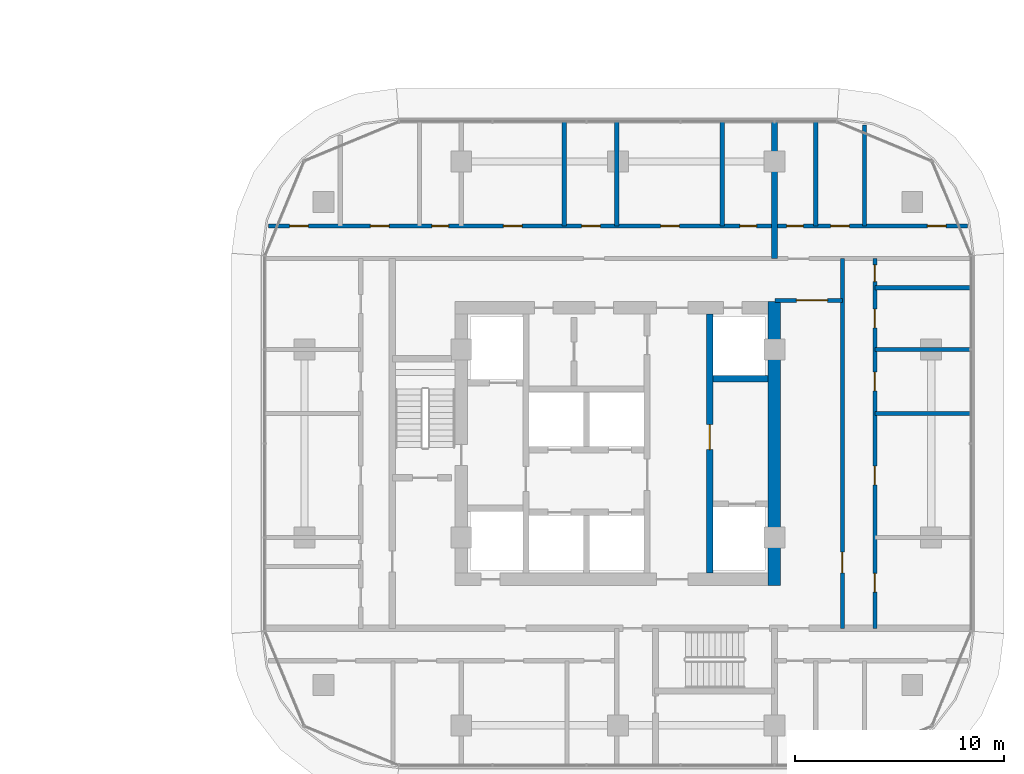
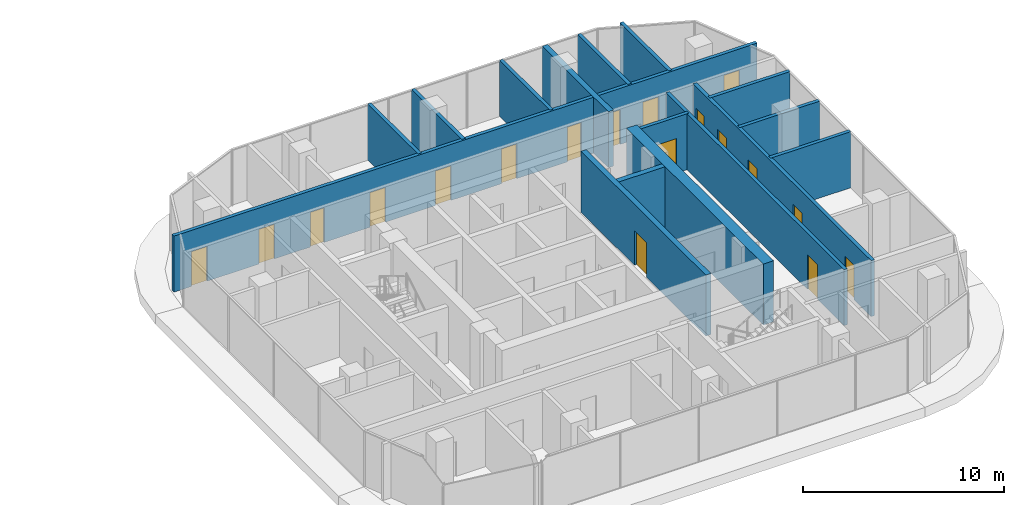
# One storey, part 24 of 36: 18 doors, 16 walls, 18 openings.
"""IFC4 building model written with IfcOpenShell, lengths in metres."""

from ifc_helpers import new_model, si_unit, direction, frame, frame_2d, origin, place, context, subcontext, project, spatial, rectangle, extrude, material, layer, layer_set, type_object, element, fill, save


model = new_model("IFC4")

# Units and contexts
model_context = context("Model", 3, precision=1e-05, world=origin(), true_north=direction((0.0, 1.0)))
body_context = subcontext(model_context, "Body", "Model", "MODEL_VIEW")
ifc_project = project(units=[si_unit("LENGTHUNIT", "METRE"), si_unit("AREAUNIT", "SQUARE_METRE"), si_unit("VOLUMEUNIT", "CUBIC_METRE"), si_unit("PLANEANGLEUNIT", "RADIAN"), si_unit("MASSUNIT", "GRAM", prefix="KILO")], contexts=[model_context])

# Site, building, storey
site_placement = place(None, origin())
site = spatial("IfcSite", under=ifc_project, at=site_placement, CompositionType="ELEMENT")
building_placement = place(site_placement, origin())
building = spatial("IfcBuilding", under=site, at=building_placement, Name="Ogive Portal Towers", CompositionType="ELEMENT")
storey_placement = place(building_placement, frame((0.0, 0.0, 52.0)))
storey = spatial("IfcBuildingStorey", under=building, at=storey_placement, Name="L11", CompositionType="ELEMENT", Elevation=52.0)

# Wall, opening, door
ifc_material_1 = material(Name="Concrete C60/75", Category="concrete")
ifc_layer_1 = layer(ifc_material_1, 0.300048828125)
ifc_layer_set_1 = layer_set([ifc_layer_1], Name="CORE WALL 300 C60")
wall_type_1 = type_object("IfcWallType", Name="CORE WALL 300 C60", PredefinedType="SHEAR", material=ifc_layer_set_1)
wall_1_placement = place(storey_placement, frame((140.89990234375, 24.800048828125, 0.0), z_axis=(0.0, 0.0, 1.0), x_axis=(0.0, 1.0, 0.0)))
wall_1 = element("IfcWall", 1, at=wall_1_placement, inside=storey, type_object=wall_type_1, Name="Tower B core wall BX3 L11", PredefinedType="SHEAR", context=body_context, shape_type="SweptSolid", body=[
    extrude(rectangle(XDim=12.39990234375, YDim=0.300048828125, at=frame_2d((6.199951171875, 0.0))), origin(), (0.0, 0.0, 1.0), 3.699951171875),
])
opening_1_placement = place(wall_1_placement, frame((5.89990234375, 0.0, 0.0)))
opening_1 = element("IfcOpeningElement", 2, at=opening_1_placement, cuts=wall_1, Name="Opening B03-042", PredefinedType="OPENING", context=body_context, shape_type="SweptSolid", body=[
    extrude(rectangle(XDim=1.199951171875, YDim=2.10009765625, at=frame_2d((0.60009765625, 1.050048828125))), frame((0.0, 0.16015625, 0.0), z_axis=(0.0, -1.0, 0.0), x_axis=(1.0, 0.0, 0.0)), (0.0, 0.0, 1.0), 0.320068359375),
])
ifc_material_2 = material(Name="Steel fire door", Category="steel")
door_type_1 = type_object("IfcDoorType", Name="DT-SWING-1200x2100-FD90S", OperationType="SINGLE_SWING_LEFT", PredefinedType="DOOR", material=ifc_material_2)
door_1_placement = place(opening_1_placement, origin())
door_1 = element("IfcDoor", 3, at=door_1_placement, inside=storey, type_object=door_type_1, Name="Door B03-042", OperationType="SINGLE_SWING_RIGHT", OverallHeight=2.10009765625, OverallWidth=1.199951171875, PredefinedType="DOOR", context=body_context, shape_type="SweptSolid", body=[
    extrude(rectangle(XDim=1.199951171875, YDim=2.10009765625, at=frame_2d((0.60009765625, 1.050048828125))), frame((0.0, 0.02490234375, 0.0), z_axis=(0.0, -1.0, 0.0), x_axis=(1.0, 0.0, 0.0)), (0.0, 0.0, 1.0), 0.050048828125),
])
fill(opening_1, door_1)

# Walls
wall_2_placement = place(storey_placement, frame((141.050048828125, 34.10009765625, 0.0), z_axis=(0.0, 0.0, 1.0), x_axis=(1.0, 0.0, 0.0)))
element("IfcWall", 4, at=wall_2_placement, inside=storey, type_object=wall_type_1, Name="Tower B core wall BY7 L11", PredefinedType="SHEAR", context=body_context, shape_type="SweptSolid", body=[
    extrude(rectangle(XDim=2.64990234375, YDim=0.300048828125, at=frame_2d((1.324951171875, 0.0))), origin(), (0.0, 0.0, 1.0), 3.699951171875),
])
ifc_layer_2 = layer(ifc_material_1, 0.60009765625)
ifc_layer_set_2 = layer_set([ifc_layer_2], Name="CORE WALL 600 C60")
wall_type_2 = type_object("IfcWallType", Name="CORE WALL 600 C60", PredefinedType="SHEAR", material=ifc_layer_set_2)
wall_3_placement = place(storey_placement, frame((144.0, 24.199951171875, 0.0), z_axis=(0.0, 0.0, 1.0), x_axis=(0.0, 1.0, 0.0)))
element("IfcWall", 5, at=wall_3_placement, inside=storey, type_object=wall_type_2, Name="Tower B core wall BE L11", PredefinedType="SHEAR", context=body_context, shape_type="SweptSolid", body=[
    extrude(rectangle(XDim=13.60009765625, YDim=0.60009765625, at=frame_2d((6.800048828125, 0.0))), origin(), (0.0, 0.0, 1.0), 3.699951171875),
])
ifc_material_3 = material(Name="Gypsum board partition on steel studs", Category="steel")
ifc_layer_3 = layer(ifc_material_3, 0.199951171875)
ifc_layer_set_3 = layer_set([ifc_layer_3], Name="WT-PART-200-EI 60")
wall_type_3 = type_object("IfcWallType", Name="WT-PART-200-EI 60", PredefinedType="PARTITIONING", material=ifc_layer_set_3)
for number, where, z_axis, x_axis, name in (
    (6, (148.81005859375, 32.43310546875, 0.0), (0.0, 0.0, 1.0), (1.0, 0.0, 0.0), "Wall L11:w012"),
    (7, (148.81005859375, 35.5, 0.0), (0.0, 0.0, 1.0), (1.0, 0.0, 0.0), "Wall L11:w015"),
):
    element("IfcWall", number, at=place(storey_placement, frame(where, z_axis=z_axis, x_axis=x_axis)), inside=storey, type_object=wall_type_3, Name=name, PredefinedType="PARTITIONING", context=body_context, shape_type="SweptSolid", body=[
        extrude(rectangle(XDim=4.60986328125, YDim=0.199951171875, at=frame_2d((2.304931640625, 0.0))), origin(), (0.0, 0.0, 1.0), 3.39990234375),
    ])

# Wall, opening, door
wall_4_placement = place(storey_placement, frame((144.02001953125, 37.85009765625, 0.0), z_axis=(0.0, 0.0, 1.0), x_axis=(1.0, 0.0, 0.0)))
wall_4 = element("IfcWall", 8, at=wall_4_placement, inside=storey, type_object=wall_type_3, Name="Wall L11:w017", PredefinedType="PARTITIONING", context=body_context, shape_type="SweptSolid", body=[
    extrude(rectangle(XDim=3.22998046875, YDim=0.199951171875, at=frame_2d((1.614990234375, 0.0))), origin(), (0.0, 0.0, 1.0), 3.39990234375),
])
opening_2_placement = place(wall_4_placement, frame((1.030029296875, 0.0, 0.0)))
opening_2 = element("IfcOpeningElement", 9, at=opening_2_placement, cuts=wall_4, Name="Opening B03-001", PredefinedType="OPENING", context=body_context, shape_type="SweptSolid", body=[
    extrude(rectangle(XDim=1.5, YDim=2.10009765625, at=frame_2d((0.75, 1.050048828125))), frame((0.0, 0.10986328125, 0.0), z_axis=(0.0, -1.0, 0.0), x_axis=(1.0, 0.0, 0.0)), (0.0, 0.0, 1.0), 0.219970703125),
])
door_type_2 = type_object("IfcDoorType", Name="DT-SWING-1500x2100-FD60S", OperationType="SINGLE_SWING_LEFT", PredefinedType="DOOR", material=ifc_material_2)
door_2_placement = place(opening_2_placement, origin())
door_2 = element("IfcDoor", 10, at=door_2_placement, inside=storey, type_object=door_type_2, Name="Door B03-001", OperationType="SINGLE_SWING_LEFT", OverallHeight=2.10009765625, OverallWidth=1.5, PredefinedType="DOOR", context=body_context, shape_type="SweptSolid", body=[
    extrude(rectangle(XDim=1.5, YDim=2.10009765625, at=frame_2d((0.75, 1.050048828125))), frame((0.0, 0.02490234375, 0.0), z_axis=(0.0, -1.0, 0.0), x_axis=(1.0, 0.0, 0.0)), (0.0, 0.0, 1.0), 0.050048828125),
])
fill(opening_2, door_2)

# Wall
wall_5_placement = place(storey_placement, frame((148.81005859375, 38.4560546875, 0.0), z_axis=(0.0, 0.0, 1.0), x_axis=(1.0, 0.0, 0.0)))
element("IfcWall", 11, at=wall_5_placement, inside=storey, type_object=wall_type_3, Name="Wall L11:w018", PredefinedType="PARTITIONING", context=body_context, shape_type="SweptSolid", body=[
    extrude(rectangle(XDim=4.60986328125, YDim=0.199951171875, at=frame_2d((2.304931640625, 0.0))), origin(), (0.0, 0.0, 1.0), 3.39990234375),
])

# Wall, openings, doors
wall_6_placement = place(storey_placement, frame((119.76611328125, 41.409912109375, 0.0), z_axis=(0.0, 0.0, 1.0), x_axis=(1.0, 0.0, 0.0)))
wall_6 = element("IfcWall", 12, at=wall_6_placement, inside=storey, type_object=wall_type_3, Name="Wall L11:w020", PredefinedType="PARTITIONING", context=body_context, shape_type="SweptSolid", body=[
    extrude(rectangle(XDim=33.4677734375, YDim=0.199951171875, at=frame_2d((16.73388671875, 0.0))), origin(), (0.0, 0.0, 1.0), 3.39990234375),
])
opening_3_placement = place(wall_6_placement, frame((1.01708984375, 0.0, 0.0)))
opening_3 = element("IfcOpeningElement", 13, at=opening_3_placement, cuts=wall_6, Name="Opening B03-006", PredefinedType="OPENING", context=body_context, shape_type="SweptSolid", body=[
    extrude(rectangle(XDim=0.89990234375, YDim=2.10009765625, at=frame_2d((0.449951171875, 1.050048828125))), frame((0.0, 0.10986328125, 0.0), z_axis=(0.0, -1.0, 0.0), x_axis=(1.0, 0.0, 0.0)), (0.0, 0.0, 1.0), 0.219970703125),
])
opening_4_placement = place(wall_6_placement, frame((4.887939453125, 0.0, 0.0)))
opening_4 = element("IfcOpeningElement", 14, at=opening_4_placement, cuts=wall_6, Name="Opening B03-007", PredefinedType="OPENING", context=body_context, shape_type="SweptSolid", body=[
    extrude(rectangle(XDim=0.89990234375, YDim=2.10009765625, at=frame_2d((0.449951171875, 1.050048828125))), frame((0.0, 0.10986328125, 0.0), z_axis=(0.0, -1.0, 0.0), x_axis=(1.0, 0.0, 0.0)), (0.0, 0.0, 1.0), 0.219970703125),
])
opening_5_placement = place(wall_6_placement, frame((7.8349609375, 0.0, 0.0)))
opening_5 = element("IfcOpeningElement", 15, at=opening_5_placement, cuts=wall_6, Name="Opening B03-008", PredefinedType="OPENING", context=body_context, shape_type="SweptSolid", body=[
    extrude(rectangle(XDim=0.800048828125, YDim=2.10009765625, at=frame_2d((0.39990234375, 1.050048828125))), frame((0.0, 0.10986328125, 0.0), z_axis=(0.0, -1.0, 0.0), x_axis=(1.0, 0.0, 0.0)), (0.0, 0.0, 1.0), 0.219970703125),
])
opening_6_placement = place(wall_6_placement, frame((11.2509765625, 0.0, 0.0)))
opening_6 = element("IfcOpeningElement", 16, at=opening_6_placement, cuts=wall_6, Name="Opening B03-009", PredefinedType="OPENING", context=body_context, shape_type="SweptSolid", body=[
    extrude(rectangle(XDim=0.89990234375, YDim=2.10009765625, at=frame_2d((0.449951171875, 1.050048828125))), frame((0.0, 0.10986328125, 0.0), z_axis=(0.0, -1.0, 0.0), x_axis=(1.0, 0.0, 0.0)), (0.0, 0.0, 1.0), 0.219970703125),
])
opening_7_placement = place(wall_6_placement, frame((15.0009765625, 0.0, 0.0)))
opening_7 = element("IfcOpeningElement", 17, at=opening_7_placement, cuts=wall_6, Name="Opening B03-010", PredefinedType="OPENING", context=body_context, shape_type="SweptSolid", body=[
    extrude(rectangle(XDim=0.89990234375, YDim=2.10009765625, at=frame_2d((0.449951171875, 1.050048828125))), frame((0.0, 0.10986328125, 0.0), z_axis=(0.0, -1.0, 0.0), x_axis=(1.0, 0.0, 0.0)), (0.0, 0.0, 1.0), 0.219970703125),
])
opening_8_placement = place(wall_6_placement, frame((18.782958984375, 0.0, 0.0)))
opening_8 = element("IfcOpeningElement", 18, at=opening_8_placement, cuts=wall_6, Name="Opening B03-011", PredefinedType="OPENING", context=body_context, shape_type="SweptSolid", body=[
    extrude(rectangle(XDim=0.89990234375, YDim=2.10009765625, at=frame_2d((0.449951171875, 1.050048828125))), frame((0.0, 0.10986328125, 0.0), z_axis=(0.0, -1.0, 0.0), x_axis=(1.0, 0.0, 0.0)), (0.0, 0.0, 1.0), 0.219970703125),
])
opening_9_placement = place(wall_6_placement, frame((22.5830078125, 0.0, 0.0)))
opening_9 = element("IfcOpeningElement", 19, at=opening_9_placement, cuts=wall_6, Name="Opening B03-012", PredefinedType="OPENING", context=body_context, shape_type="SweptSolid", body=[
    extrude(rectangle(XDim=0.800048828125, YDim=2.10009765625, at=frame_2d((0.39990234375, 1.050048828125))), frame((0.0, 0.10986328125, 0.0), z_axis=(0.0, -1.0, 0.0), x_axis=(1.0, 0.0, 0.0)), (0.0, 0.0, 1.0), 0.219970703125),
])
opening_10_placement = place(wall_6_placement, frame((24.821044921875, 0.0, 0.0)))
opening_10 = element("IfcOpeningElement", 20, at=opening_10_placement, cuts=wall_6, Name="Opening B03-014", PredefinedType="OPENING", context=body_context, shape_type="SweptSolid", body=[
    extrude(rectangle(XDim=0.800048828125, YDim=2.10009765625, at=frame_2d((0.39990234375, 1.050048828125))), frame((0.0, 0.10986328125, 0.0), z_axis=(0.0, -1.0, 0.0), x_axis=(1.0, 0.0, 0.0)), (0.0, 0.0, 1.0), 0.219970703125),
])
opening_11_placement = place(wall_6_placement, frame((26.923095703125, 0.0, 0.0)))
opening_11 = element("IfcOpeningElement", 21, at=opening_11_placement, cuts=wall_6, Name="Opening B03-015", PredefinedType="OPENING", context=body_context, shape_type="SweptSolid", body=[
    extrude(rectangle(XDim=0.89990234375, YDim=2.10009765625, at=frame_2d((0.449951171875, 1.050048828125))), frame((0.0, 0.10986328125, 0.0), z_axis=(0.0, -1.0, 0.0), x_axis=(1.0, 0.0, 0.0)), (0.0, 0.0, 1.0), 0.219970703125),
])
opening_12_placement = place(wall_6_placement, frame((31.555908203125, 0.0, 0.0)))
opening_12 = element("IfcOpeningElement", 22, at=opening_12_placement, cuts=wall_6, Name="Opening B03-016", PredefinedType="OPENING", context=body_context, shape_type="SweptSolid", body=[
    extrude(rectangle(XDim=0.89990234375, YDim=2.10009765625, at=frame_2d((0.449951171875, 1.050048828125))), frame((0.0, 0.10986328125, 0.0), z_axis=(0.0, -1.0, 0.0), x_axis=(1.0, 0.0, 0.0)), (0.0, 0.0, 1.0), 0.219970703125),
])
door_type_3 = type_object("IfcDoorType", Name="DT-SWING-800x2100-FD60S", OperationType="SINGLE_SWING_LEFT", PredefinedType="DOOR", material=ifc_material_2)
door_3_placement = place(opening_5_placement, origin())
door_3 = element("IfcDoor", 23, at=door_3_placement, inside=storey, type_object=door_type_3, Name="Door B03-008", OperationType="SINGLE_SWING_RIGHT", OverallHeight=2.10009765625, OverallWidth=0.800048828125, PredefinedType="DOOR", context=body_context, shape_type="SweptSolid", body=[
    extrude(rectangle(XDim=0.800048828125, YDim=2.10009765625, at=frame_2d((0.39990234375, 1.050048828125))), frame((0.0, 0.02490234375, 0.0), z_axis=(0.0, -1.0, 0.0), x_axis=(1.0, 0.0, 0.0)), (0.0, 0.0, 1.0), 0.050048828125),
])
fill(opening_5, door_3)
door_4_placement = place(opening_9_placement, origin())
door_4 = element("IfcDoor", 24, at=door_4_placement, inside=storey, type_object=door_type_3, Name="Door B03-012", OperationType="SINGLE_SWING_RIGHT", OverallHeight=2.10009765625, OverallWidth=0.800048828125, PredefinedType="DOOR", context=body_context, shape_type="SweptSolid", body=[
    extrude(rectangle(XDim=0.800048828125, YDim=2.10009765625, at=frame_2d((0.39990234375, 1.050048828125))), frame((0.0, 0.02490234375, 0.0), z_axis=(0.0, -1.0, 0.0), x_axis=(1.0, 0.0, 0.0)), (0.0, 0.0, 1.0), 0.050048828125),
])
fill(opening_9, door_4)
door_5_placement = place(opening_10_placement, origin())
door_5 = element("IfcDoor", 25, at=door_5_placement, inside=storey, type_object=door_type_3, Name="Door B03-014", OperationType="SINGLE_SWING_RIGHT", OverallHeight=2.10009765625, OverallWidth=0.800048828125, PredefinedType="DOOR", context=body_context, shape_type="SweptSolid", body=[
    extrude(rectangle(XDim=0.800048828125, YDim=2.10009765625, at=frame_2d((0.39990234375, 1.050048828125))), frame((0.0, 0.02490234375, 0.0), z_axis=(0.0, -1.0, 0.0), x_axis=(1.0, 0.0, 0.0)), (0.0, 0.0, 1.0), 0.050048828125),
])
fill(opening_10, door_5)
door_type_4 = type_object("IfcDoorType", Name="DT-SWING-900x2100-FD60S", OperationType="SINGLE_SWING_LEFT", PredefinedType="DOOR", material=ifc_material_2)
door_6_placement = place(opening_3_placement, origin())
door_6 = element("IfcDoor", 26, at=door_6_placement, inside=storey, type_object=door_type_4, Name="Door B03-006", OperationType="SINGLE_SWING_RIGHT", OverallHeight=2.10009765625, OverallWidth=0.89990234375, PredefinedType="DOOR", context=body_context, shape_type="SweptSolid", body=[
    extrude(rectangle(XDim=0.89990234375, YDim=2.10009765625, at=frame_2d((0.449951171875, 1.050048828125))), frame((0.0, 0.02490234375, 0.0), z_axis=(0.0, -1.0, 0.0), x_axis=(1.0, 0.0, 0.0)), (0.0, 0.0, 1.0), 0.050048828125),
])
fill(opening_3, door_6)
door_7_placement = place(opening_4_placement, origin())
door_7 = element("IfcDoor", 27, at=door_7_placement, inside=storey, type_object=door_type_4, Name="Door B03-007", OperationType="SINGLE_SWING_LEFT", OverallHeight=2.10009765625, OverallWidth=0.89990234375, PredefinedType="DOOR", context=body_context, shape_type="SweptSolid", body=[
    extrude(rectangle(XDim=0.89990234375, YDim=2.10009765625, at=frame_2d((0.449951171875, 1.050048828125))), frame((0.0, 0.02490234375, 0.0), z_axis=(0.0, -1.0, 0.0), x_axis=(1.0, 0.0, 0.0)), (0.0, 0.0, 1.0), 0.050048828125),
])
fill(opening_4, door_7)
door_8_placement = place(opening_6_placement, origin())
door_8 = element("IfcDoor", 28, at=door_8_placement, inside=storey, type_object=door_type_4, Name="Door B03-009", OperationType="SINGLE_SWING_LEFT", OverallHeight=2.10009765625, OverallWidth=0.89990234375, PredefinedType="DOOR", context=body_context, shape_type="SweptSolid", body=[
    extrude(rectangle(XDim=0.89990234375, YDim=2.10009765625, at=frame_2d((0.449951171875, 1.050048828125))), frame((0.0, 0.02490234375, 0.0), z_axis=(0.0, -1.0, 0.0), x_axis=(1.0, 0.0, 0.0)), (0.0, 0.0, 1.0), 0.050048828125),
])
fill(opening_6, door_8)
door_9_placement = place(opening_7_placement, origin())
door_9 = element("IfcDoor", 29, at=door_9_placement, inside=storey, type_object=door_type_4, Name="Door B03-010", OperationType="SINGLE_SWING_RIGHT", OverallHeight=2.10009765625, OverallWidth=0.89990234375, PredefinedType="DOOR", context=body_context, shape_type="SweptSolid", body=[
    extrude(rectangle(XDim=0.89990234375, YDim=2.10009765625, at=frame_2d((0.449951171875, 1.050048828125))), frame((0.0, 0.02490234375, 0.0), z_axis=(0.0, -1.0, 0.0), x_axis=(1.0, 0.0, 0.0)), (0.0, 0.0, 1.0), 0.050048828125),
])
fill(opening_7, door_9)
door_10_placement = place(opening_8_placement, origin())
door_10 = element("IfcDoor", 30, at=door_10_placement, inside=storey, type_object=door_type_4, Name="Door B03-011", OperationType="SINGLE_SWING_LEFT", OverallHeight=2.10009765625, OverallWidth=0.89990234375, PredefinedType="DOOR", context=body_context, shape_type="SweptSolid", body=[
    extrude(rectangle(XDim=0.89990234375, YDim=2.10009765625, at=frame_2d((0.449951171875, 1.050048828125))), frame((0.0, 0.02490234375, 0.0), z_axis=(0.0, -1.0, 0.0), x_axis=(1.0, 0.0, 0.0)), (0.0, 0.0, 1.0), 0.050048828125),
])
fill(opening_8, door_10)
door_11_placement = place(opening_11_placement, origin())
door_11 = element("IfcDoor", 31, at=door_11_placement, inside=storey, type_object=door_type_4, Name="Door B03-015", OperationType="SINGLE_SWING_LEFT", OverallHeight=2.10009765625, OverallWidth=0.89990234375, PredefinedType="DOOR", context=body_context, shape_type="SweptSolid", body=[
    extrude(rectangle(XDim=0.89990234375, YDim=2.10009765625, at=frame_2d((0.449951171875, 1.050048828125))), frame((0.0, 0.02490234375, 0.0), z_axis=(0.0, -1.0, 0.0), x_axis=(1.0, 0.0, 0.0)), (0.0, 0.0, 1.0), 0.050048828125),
])
fill(opening_11, door_11)
door_12_placement = place(opening_12_placement, origin())
door_12 = element("IfcDoor", 32, at=door_12_placement, inside=storey, type_object=door_type_4, Name="Door B03-016", OperationType="SINGLE_SWING_RIGHT", OverallHeight=2.10009765625, OverallWidth=0.89990234375, PredefinedType="DOOR", context=body_context, shape_type="SweptSolid", body=[
    extrude(rectangle(XDim=0.89990234375, YDim=2.10009765625, at=frame_2d((0.449951171875, 1.050048828125))), frame((0.0, 0.02490234375, 0.0), z_axis=(0.0, -1.0, 0.0), x_axis=(1.0, 0.0, 0.0)), (0.0, 0.0, 1.0), 0.050048828125),
])
fill(opening_12, door_12)

# Walls
for number, where, z_axis, x_axis, name in (
    (33, (133.93310546875, 41.409912109375, 0.0), (0.0, 0.0, 1.0), (0.0, 1.0, 0.0), "Wall L11:w030"),
    (34, (136.449951171875, 41.409912109375, 0.0), (0.0, 0.0, 1.0), (0.0, 1.0, 0.0), "Wall L11:w034"),
    (35, (141.4970703125, 41.409912109375, 0.0), (0.0, 0.0, 1.0), (0.0, 1.0, 0.0), "Wall L11:w036"),
    (36, (145.97412109375, 41.409912109375, 0.0), (0.0, 0.0, 1.0), (0.0, 1.0, 0.0), "Wall L11:w042"),
):
    element("IfcWall", number, at=place(storey_placement, frame(where, z_axis=z_axis, x_axis=x_axis)), inside=storey, type_object=wall_type_3, Name=name, PredefinedType="PARTITIONING", context=body_context, shape_type="SweptSolid", body=[
        extrude(rectangle(XDim=5.010009765625, YDim=0.199951171875, at=frame_2d((2.5048828125, 0.0))), origin(), (0.0, 0.0, 1.0), 3.39990234375),
    ])

# Wall, opening, door
wall_7_placement = place(storey_placement, frame((147.25, 22.14990234375, 0.0), z_axis=(0.0, 0.0, 1.0), x_axis=(0.0, 1.0, 0.0)))
wall_7 = element("IfcWall", 37, at=wall_7_placement, inside=storey, type_object=wall_type_3, Name="Wall L11:w043", PredefinedType="PARTITIONING", context=body_context, shape_type="SweptSolid", body=[
    extrude(rectangle(XDim=17.7001953125, YDim=0.199951171875, at=frame_2d((8.85009765625, 0.0))), origin(), (0.0, 0.0, 1.0), 3.39990234375),
])
opening_13_placement = place(wall_7_placement, frame((2.64990234375, 0.0, 0.0)))
opening_13 = element("IfcOpeningElement", 38, at=opening_13_placement, cuts=wall_7, Name="Opening B03-034", PredefinedType="OPENING", context=body_context, shape_type="SweptSolid", body=[
    extrude(rectangle(XDim=1.0, YDim=2.10009765625, at=frame_2d((0.5, 1.050048828125))), frame((0.0, 0.10986328125, 0.0), z_axis=(0.0, -1.0, 0.0), x_axis=(1.0, 0.0, 0.0)), (0.0, 0.0, 1.0), 0.219970703125),
])
door_type_5 = type_object("IfcDoorType", Name="DT-SWING-1000x2100-FD60S", OperationType="SINGLE_SWING_LEFT", PredefinedType="DOOR", material=ifc_material_2)
door_13_placement = place(opening_13_placement, origin())
door_13 = element("IfcDoor", 39, at=door_13_placement, inside=storey, type_object=door_type_5, Name="Door B03-034", OperationType="SINGLE_SWING_RIGHT", OverallHeight=2.10009765625, OverallWidth=1.0, PredefinedType="DOOR", context=body_context, shape_type="SweptSolid", body=[
    extrude(rectangle(XDim=1.0, YDim=2.10009765625, at=frame_2d((0.5, 1.050048828125))), frame((0.0, 0.02490234375, 0.0), z_axis=(0.0, -1.0, 0.0), x_axis=(1.0, 0.0, 0.0)), (0.0, 0.0, 1.0), 0.050048828125),
])
fill(opening_13, door_13)

# Wall
wall_8_placement = place(storey_placement, frame((148.303955078125, 41.409912109375, 0.0), z_axis=(0.0, 0.0, 1.0), x_axis=(0.0, 1.0, 0.0)))
element("IfcWall", 40, at=wall_8_placement, inside=storey, type_object=wall_type_3, Name="Wall L11:w045", PredefinedType="PARTITIONING", context=body_context, shape_type="SweptSolid", body=[
    extrude(rectangle(XDim=4.838134765625, YDim=0.199951171875, at=frame_2d((2.4189453125, 0.0))), origin(), (0.0, 0.0, 1.0), 3.39990234375),
])

# Wall, openings, doors
wall_9_placement = place(storey_placement, frame((148.81005859375, 22.14990234375, 0.0), z_axis=(0.0, 0.0, 1.0), x_axis=(0.0, 1.0, 0.0)))
wall_9 = element("IfcWall", 41, at=wall_9_placement, inside=storey, type_object=wall_type_3, Name="Wall L11:w046", PredefinedType="PARTITIONING", context=body_context, shape_type="SweptSolid", body=[
    extrude(rectangle(XDim=17.7001953125, YDim=0.199951171875, at=frame_2d((8.85009765625, 0.0))), origin(), (0.0, 0.0, 1.0), 3.39990234375),
])
opening_14_placement = place(wall_9_placement, frame((1.72509765625, 0.0, 0.0)))
opening_14 = element("IfcOpeningElement", 42, at=opening_14_placement, cuts=wall_9, Name="Opening B03-035", PredefinedType="OPENING", context=body_context, shape_type="SweptSolid", body=[
    extrude(rectangle(XDim=0.89990234375, YDim=2.10009765625, at=frame_2d((0.449951171875, 1.050048828125))), frame((0.0, 0.10986328125, 0.0), z_axis=(0.0, -1.0, 0.0), x_axis=(1.0, 0.0, 0.0)), (0.0, 0.0, 1.0), 0.219970703125),
])
opening_15_placement = place(wall_9_placement, frame((6.866943359375, 0.0, 0.0)))
opening_15 = element("IfcOpeningElement", 43, at=opening_15_placement, cuts=wall_9, Name="Opening B03-036", PredefinedType="OPENING", context=body_context, shape_type="SweptSolid", body=[
    extrude(rectangle(XDim=0.89990234375, YDim=2.10009765625, at=frame_2d((0.449951171875, 1.050048828125))), frame((0.0, 0.10986328125, 0.0), z_axis=(0.0, -1.0, 0.0), x_axis=(1.0, 0.0, 0.0)), (0.0, 0.0, 1.0), 0.219970703125),
])
opening_16_placement = place(wall_9_placement, frame((11.366943359375, 0.0, 0.0)))
opening_16 = element("IfcOpeningElement", 44, at=opening_16_placement, cuts=wall_9, Name="Opening B03-037", PredefinedType="OPENING", context=body_context, shape_type="SweptSolid", body=[
    extrude(rectangle(XDim=0.89990234375, YDim=2.10009765625, at=frame_2d((0.449951171875, 1.050048828125))), frame((0.0, 0.10986328125, 0.0), z_axis=(0.0, -1.0, 0.0), x_axis=(1.0, 0.0, 0.0)), (0.0, 0.0, 1.0), 0.219970703125),
])
opening_17_placement = place(wall_9_placement, frame((14.3779296875, 0.0, 0.0)))
opening_17 = element("IfcOpeningElement", 45, at=opening_17_placement, cuts=wall_9, Name="Opening B03-038", PredefinedType="OPENING", context=body_context, shape_type="SweptSolid", body=[
    extrude(rectangle(XDim=0.89990234375, YDim=2.10009765625, at=frame_2d((0.449951171875, 1.050048828125))), frame((0.0, 0.10986328125, 0.0), z_axis=(0.0, -1.0, 0.0), x_axis=(1.0, 0.0, 0.0)), (0.0, 0.0, 1.0), 0.219970703125),
])
opening_18_placement = place(wall_9_placement, frame((16.60302734375, 0.0, 0.0)))
opening_18 = element("IfcOpeningElement", 46, at=opening_18_placement, cuts=wall_9, Name="Opening B03-039", PredefinedType="OPENING", context=body_context, shape_type="SweptSolid", body=[
    extrude(rectangle(XDim=0.800048828125, YDim=2.10009765625, at=frame_2d((0.39990234375, 1.050048828125))), frame((0.0, 0.10986328125, 0.0), z_axis=(0.0, -1.0, 0.0), x_axis=(1.0, 0.0, 0.0)), (0.0, 0.0, 1.0), 0.219970703125),
])
door_14_placement = place(opening_18_placement, origin())
door_14 = element("IfcDoor", 47, at=door_14_placement, inside=storey, type_object=door_type_3, Name="Door B03-039", OperationType="SINGLE_SWING_LEFT", OverallHeight=2.10009765625, OverallWidth=0.800048828125, PredefinedType="DOOR", context=body_context, shape_type="SweptSolid", body=[
    extrude(rectangle(XDim=0.800048828125, YDim=2.10009765625, at=frame_2d((0.39990234375, 1.050048828125))), frame((0.0, 0.02490234375, 0.0), z_axis=(0.0, -1.0, 0.0), x_axis=(1.0, 0.0, 0.0)), (0.0, 0.0, 1.0), 0.050048828125),
])
fill(opening_18, door_14)
door_15_placement = place(opening_14_placement, origin())
door_15 = element("IfcDoor", 48, at=door_15_placement, inside=storey, type_object=door_type_4, Name="Door B03-035", OperationType="SINGLE_SWING_LEFT", OverallHeight=2.10009765625, OverallWidth=0.89990234375, PredefinedType="DOOR", context=body_context, shape_type="SweptSolid", body=[
    extrude(rectangle(XDim=0.89990234375, YDim=2.10009765625, at=frame_2d((0.449951171875, 1.050048828125))), frame((0.0, 0.02490234375, 0.0), z_axis=(0.0, -1.0, 0.0), x_axis=(1.0, 0.0, 0.0)), (0.0, 0.0, 1.0), 0.050048828125),
])
fill(opening_14, door_15)
door_16_placement = place(opening_15_placement, origin())
door_16 = element("IfcDoor", 49, at=door_16_placement, inside=storey, type_object=door_type_4, Name="Door B03-036", OperationType="SINGLE_SWING_RIGHT", OverallHeight=2.10009765625, OverallWidth=0.89990234375, PredefinedType="DOOR", context=body_context, shape_type="SweptSolid", body=[
    extrude(rectangle(XDim=0.89990234375, YDim=2.10009765625, at=frame_2d((0.449951171875, 1.050048828125))), frame((0.0, 0.02490234375, 0.0), z_axis=(0.0, -1.0, 0.0), x_axis=(1.0, 0.0, 0.0)), (0.0, 0.0, 1.0), 0.050048828125),
])
fill(opening_15, door_16)
door_17_placement = place(opening_16_placement, origin())
door_17 = element("IfcDoor", 50, at=door_17_placement, inside=storey, type_object=door_type_4, Name="Door B03-037", OperationType="SINGLE_SWING_LEFT", OverallHeight=2.10009765625, OverallWidth=0.89990234375, PredefinedType="DOOR", context=body_context, shape_type="SweptSolid", body=[
    extrude(rectangle(XDim=0.89990234375, YDim=2.10009765625, at=frame_2d((0.449951171875, 1.050048828125))), frame((0.0, 0.02490234375, 0.0), z_axis=(0.0, -1.0, 0.0), x_axis=(1.0, 0.0, 0.0)), (0.0, 0.0, 1.0), 0.050048828125),
])
fill(opening_16, door_17)
door_18_placement = place(opening_17_placement, origin())
door_18 = element("IfcDoor", 51, at=door_18_placement, inside=storey, type_object=door_type_4, Name="Door B03-038", OperationType="SINGLE_SWING_RIGHT", OverallHeight=2.10009765625, OverallWidth=0.89990234375, PredefinedType="DOOR", context=body_context, shape_type="SweptSolid", body=[
    extrude(rectangle(XDim=0.89990234375, YDim=2.10009765625, at=frame_2d((0.449951171875, 1.050048828125))), frame((0.0, 0.02490234375, 0.0), z_axis=(0.0, -1.0, 0.0), x_axis=(1.0, 0.0, 0.0)), (0.0, 0.0, 1.0), 0.050048828125),
])
fill(opening_17, door_18)

# Wall
ifc_layer_4 = layer(ifc_material_3, 0.300048828125)
ifc_layer_set_4 = layer_set([ifc_layer_4], Name="WT-PART-300-EI 60")
wall_type_4 = type_object("IfcWallType", Name="WT-PART-300-EI 60", PredefinedType="PARTITIONING", material=ifc_layer_set_4)
wall_10_placement = place(storey_placement, frame((144.0, 39.85009765625, 0.0), z_axis=(0.0, 0.0, 1.0), x_axis=(0.0, 1.0, 0.0)))
element("IfcWall", 52, at=wall_10_placement, inside=storey, type_object=wall_type_4, Name="Wall L11:w038", PredefinedType="PARTITIONING", context=body_context, shape_type="SweptSolid", body=[
    extrude(rectangle(XDim=6.56982421875, YDim=0.300048828125, at=frame_2d((3.284912109375, 0.0))), origin(), (0.0, 0.0, 1.0), 3.39990234375),
])

save(model, "model.ifc")
